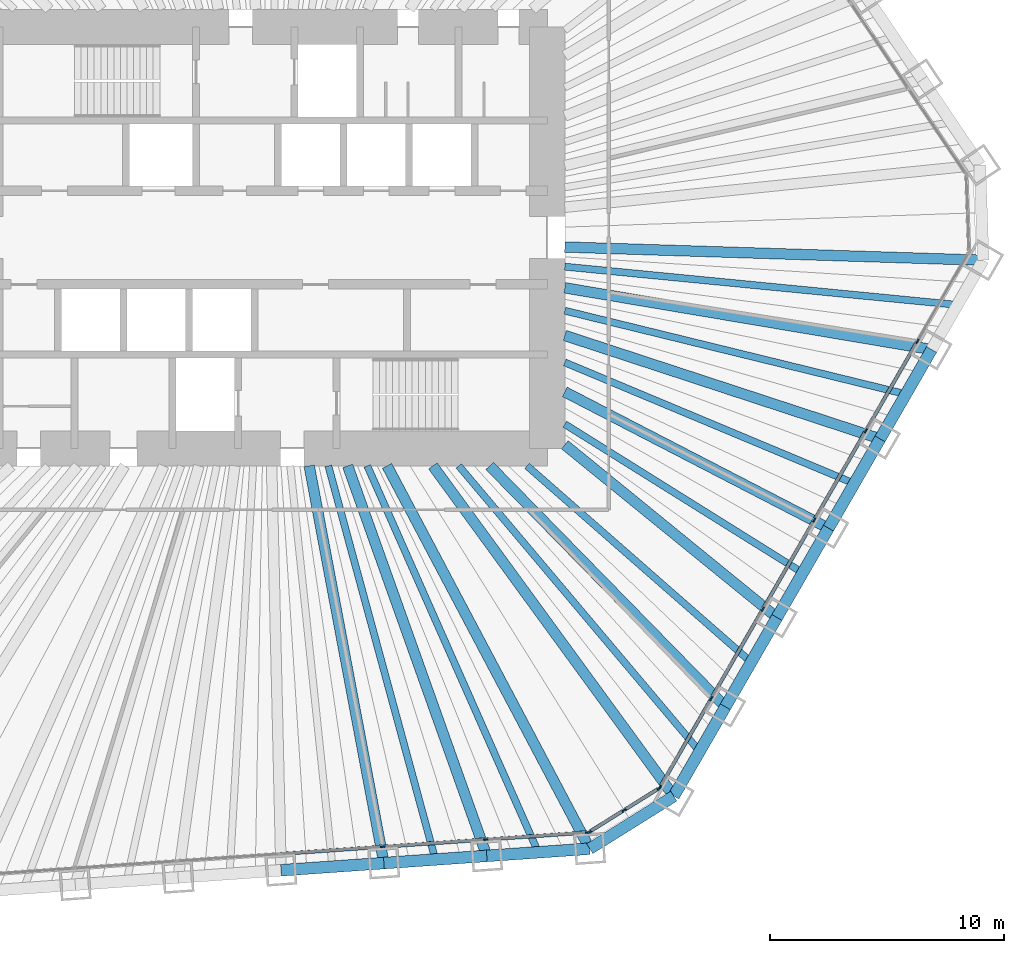
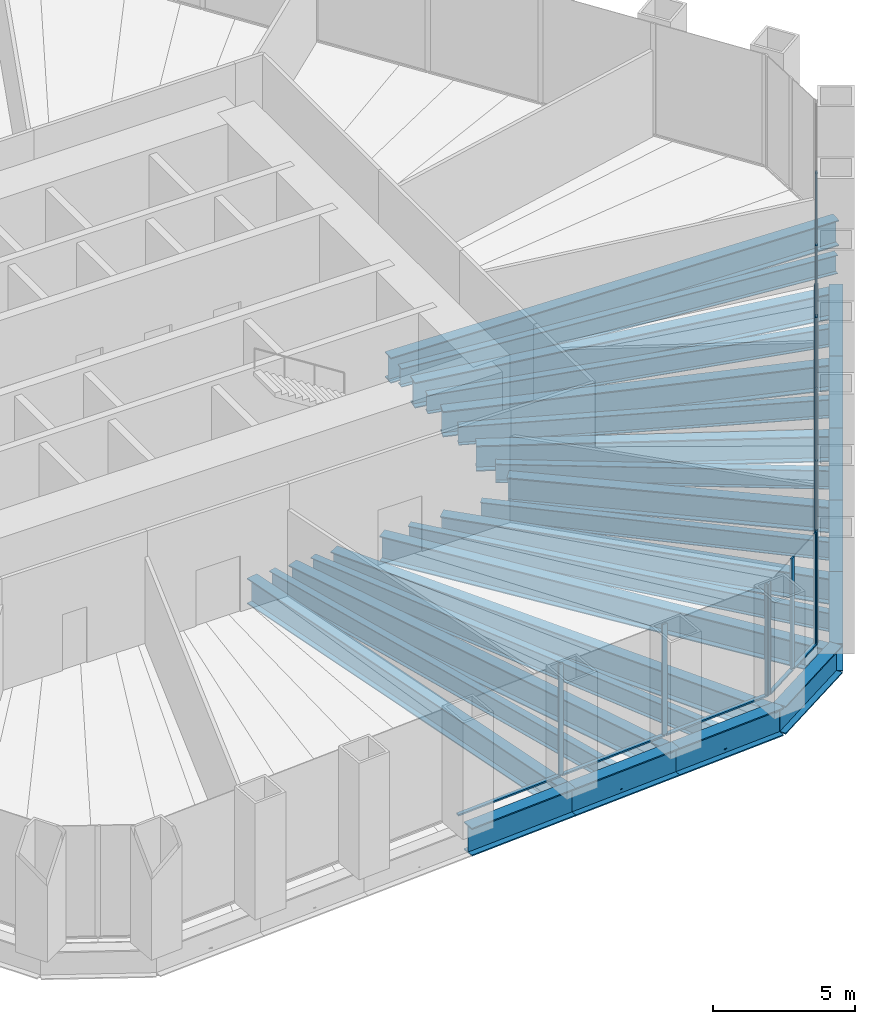
# One storey, part 4 of 13: 27 beams, 22 members, 3 elements without a shape of their own.
"""IFC4 building model written with IfcOpenShell, lengths in metres."""

from ifc_helpers import new_model, si_unit, direction, frame, origin, origin_2d, place, context, subcontext, project, spatial, rectangle, i_section, extrude, material, material_profile, profile_set, type_object, element, aggregate, save


model = new_model("IFC4")

# Units and contexts
model_context = context("Model", 3, precision=1e-05, world=origin(), true_north=direction((0.0, 1.0)))
body_context = subcontext(model_context, "Body", "Model", "MODEL_VIEW")
ifc_project = project(units=[si_unit("LENGTHUNIT", "METRE"), si_unit("AREAUNIT", "SQUARE_METRE"), si_unit("VOLUMEUNIT", "CUBIC_METRE"), si_unit("PLANEANGLEUNIT", "RADIAN"), si_unit("MASSUNIT", "GRAM", prefix="KILO")], contexts=[model_context])

# Site, building, storey
site_placement = place(None, origin())
site = spatial("IfcSite", under=ifc_project, at=site_placement, CompositionType="ELEMENT")
building_placement = place(site_placement, origin())
building = spatial("IfcBuilding", under=site, at=building_placement, Name="Qingtian Harvest Tower", CompositionType="ELEMENT")
storey_placement = place(building_placement, frame((0.0, 0.0, 72.0)))
storey = spatial("IfcBuildingStorey", under=building, at=storey_placement, Name="L14", CompositionType="ELEMENT", Elevation=72.0)

# Beams
ifc_material_1 = material(Name="Steel SM570MC", Category="steel")
ifc_material_profile_1 = material_profile(ifc_material_1, i_section(OverallWidth=0.449951171875, OverallDepth=1.10009765625, WebThickness=0.02197265625, FlangeThickness=0.044921875, at=origin_2d()), Name="H1100x450x22x45")
ifc_profile_set_1 = profile_set([ifc_material_profile_1], Name="Steel SM570MC")
beam_type_1 = type_object("IfcBeamType", Name="Corner floor beam FB8 H1100x450x22x45", PredefinedType="BEAM", material=ifc_profile_set_1)
beam_1_placement = place(storey_placement, frame((30.618408203125, -0.96728515625, -0.75), z_axis=(-0.999501426546, 0.031573696842, 0.0), x_axis=(-0.031573696842, -0.999501426546, 0.0)))
element("IfcBeam", 1, at=beam_1_placement, inside=storey, type_object=beam_type_1, Name="Floor beam FB8 SE0", PredefinedType="BEAM", context=body_context, shape_type="SweptSolid", body=[
    extrude(i_section(OverallWidth=0.449951171875, OverallDepth=1.10009765625, WebThickness=0.02197265625, FlangeThickness=0.044921875, at=origin_2d()), origin(), (0.0, 0.0, 1.0), 17.87744140625),
])
beam_2_placement = place(storey_placement, frame((17.404541015625, -23.854248046875, -0.75), z_axis=(-0.58941234871, 0.807832336062, 0.0), x_axis=(-0.807832336062, -0.58941234871, 0.0)))
element("IfcBeam", 2, at=beam_2_placement, inside=storey, type_object=beam_type_1, Name="Floor beam FB8 SE6", PredefinedType="BEAM", context=body_context, shape_type="SweptSolid", body=[
    extrude(i_section(OverallWidth=0.449951171875, OverallDepth=1.10009765625, WebThickness=0.02197265625, FlangeThickness=0.044921875, at=origin_2d()), origin(), (0.0, 0.0, 1.0), 17.45947265625),
])
beam_3_placement = place(storey_placement, frame((13.810546875, -26.10009765625, -0.75), z_axis=(-0.467705182679, 0.883884529843, 0.0), x_axis=(-0.883884529843, -0.467705182679, 0.0)))
element("IfcBeam", 3, at=beam_3_placement, inside=storey, type_object=beam_type_1, Name="Floor beam FB8 S0", PredefinedType="BEAM", context=body_context, shape_type="SweptSolid", body=[
    extrude(i_section(OverallWidth=0.449951171875, OverallDepth=1.10009765625, WebThickness=0.02197265625, FlangeThickness=0.044921875, at=origin_2d()), origin(), (0.0, 0.0, 1.0), 18.498046875),
])
ifc_material_2 = material(Name="Steel SM570MC", Category="steel")
ifc_material_profile_2 = material_profile(ifc_material_2, i_section(OverallWidth=0.449951171875, OverallDepth=1.10009765625, WebThickness=0.02197265625, FlangeThickness=0.044921875, at=origin_2d()), Name="H1100x450x22x45")
ifc_profile_set_2 = profile_set([ifc_material_profile_2], Name="Steel SM570MC")
beam_type_2 = type_object("IfcBeamType", Name="Floor beam FB1 H1100x450x22x45", PredefinedType="BEAM", material=ifc_profile_set_2)
beam_4_placement = place(storey_placement, frame((28.416015625, -4.78173828125, -0.75), z_axis=(-0.986135195489, 0.16594389479, 0.0), x_axis=(-0.16594389479, -0.986135195489, 0.0)))
element("IfcBeam", 4, at=beam_4_placement, inside=storey, type_object=beam_type_2, Name="Floor beam FB1 SE1", PredefinedType="BEAM", context=body_context, shape_type="SweptSolid", body=[
    extrude(i_section(OverallWidth=0.449951171875, OverallDepth=1.10009765625, WebThickness=0.02197265625, FlangeThickness=0.044921875, at=origin_2d()), origin(), (0.0, 0.0, 1.0), 15.88623046875),
])
beam_5_placement = place(storey_placement, frame((26.2138671875, -8.596435546875, -0.75), z_axis=(-0.950210724421, 0.311608053803, 0.0), x_axis=(-0.311608053803, -0.950210724421, 0.0)))
element("IfcBeam", 5, at=beam_5_placement, inside=storey, type_object=beam_type_2, Name="Floor beam FB1 SE2", PredefinedType="BEAM", context=body_context, shape_type="SweptSolid", body=[
    extrude(i_section(OverallWidth=0.449951171875, OverallDepth=1.10009765625, WebThickness=0.02197265625, FlangeThickness=0.044921875, at=origin_2d()), origin(), (0.0, 0.0, 1.0), 14.16943359375),
])
beam_6_placement = place(storey_placement, frame((24.011474609375, -12.410888671875, -0.75), z_axis=(-0.888349581519, 0.45916774823, 0.0), x_axis=(-0.45916774823, -0.888349581519, 0.0)))
element("IfcBeam", 6, at=beam_6_placement, inside=storey, type_object=beam_type_2, Name="Floor beam FB1 SE3", PredefinedType="BEAM", context=body_context, shape_type="SweptSolid", body=[
    extrude(i_section(OverallWidth=0.449951171875, OverallDepth=1.10009765625, WebThickness=0.02197265625, FlangeThickness=0.044921875, at=origin_2d()), origin(), (0.0, 0.0, 1.0), 12.6767578125),
])
beam_7_placement = place(storey_placement, frame((21.809326171875, -16.225341796875, -0.75), z_axis=(-0.775504415669, 0.631342142802, 0.0), x_axis=(-0.631342142802, -0.775504415669, 0.0)))
element("IfcBeam", 7, at=beam_7_placement, inside=storey, type_object=beam_type_2, Name="Floor beam FB1 SE4", PredefinedType="BEAM", context=body_context, shape_type="SweptSolid", body=[
    extrude(i_section(OverallWidth=0.449951171875, OverallDepth=1.10009765625, WebThickness=0.02197265625, FlangeThickness=0.044921875, at=origin_2d()), origin(), (0.0, 0.0, 1.0), 11.681884765625),
])
beam_8_placement = place(storey_placement, frame((19.60693359375, -20.039794921875, -0.75), z_axis=(-0.699348221539, 0.714781130858, 0.0), x_axis=(-0.714781130858, -0.699348221539, 0.0)))
element("IfcBeam", 8, at=beam_8_placement, inside=storey, type_object=beam_type_2, Name="Floor beam FB1 SE5", PredefinedType="BEAM", context=body_context, shape_type="SweptSolid", body=[
    extrude(i_section(OverallWidth=0.449951171875, OverallDepth=1.10009765625, WebThickness=0.02197265625, FlangeThickness=0.044921875, at=origin_2d()), origin(), (0.0, 0.0, 1.0), 14.395751953125),
])
beam_9_placement = place(storey_placement, frame((9.41650390625, -26.407470703125, -0.75), z_axis=(-0.33586498155, 0.941910141239, 0.0), x_axis=(-0.941910141239, -0.33586498155, 0.0)))
element("IfcBeam", 9, at=beam_9_placement, inside=storey, type_object=beam_type_2, Name="Floor beam FB1 S1", PredefinedType="BEAM", context=body_context, shape_type="SweptSolid", body=[
    extrude(i_section(OverallWidth=0.449951171875, OverallDepth=1.10009765625, WebThickness=0.02197265625, FlangeThickness=0.044921875, at=origin_2d()), origin(), (0.0, 0.0, 1.0), 17.684814453125),
])
beam_10_placement = place(storey_placement, frame((5.022705078125, -26.714599609375, -0.75), z_axis=(-0.184782942099, 0.98277935688, 0.0), x_axis=(-0.98277935688, -0.184782942099, 0.0)))
element("IfcBeam", 10, at=beam_10_placement, inside=storey, type_object=beam_type_2, Name="Floor beam FB1 S2", PredefinedType="BEAM", context=body_context, shape_type="SweptSolid", body=[
    extrude(i_section(OverallWidth=0.449951171875, OverallDepth=1.10009765625, WebThickness=0.02197265625, FlangeThickness=0.044921875, at=origin_2d()), origin(), (0.0, 0.0, 1.0), 17.261962890625),
])
ifc_material_3 = material(Name="Steel SN490B", Category="steel")
ifc_material_profile_3 = material_profile(ifc_material_3, i_section(OverallWidth=0.300048828125, OverallDepth=0.800048828125, WebThickness=0.013916015625, FlangeThickness=0.02587890625, at=origin_2d()), Name="H800x300x14x26")
ifc_profile_set_3 = profile_set([ifc_material_profile_3], Name="Steel SN490B")
beam_type_3 = type_object("IfcBeamType", Name="Floor joist J1 H800x300x14x26", PredefinedType="JOIST", material=ifc_profile_set_3)
beam_11_placement = place(storey_placement, frame((29.517333984375, -2.87451171875, -0.60009765625), z_axis=(-0.995291970786, 0.096922097011, 0.0), x_axis=(-0.096922097011, -0.995291970786, 0.0)))
element("IfcBeam", 11, at=beam_11_placement, inside=storey, type_object=beam_type_3, Name="Floor joist J1 SE0", PredefinedType="JOIST", context=body_context, shape_type="SweptSolid", body=[
    extrude(i_section(OverallWidth=0.300048828125, OverallDepth=0.800048828125, WebThickness=0.013916015625, FlangeThickness=0.02587890625, at=origin_2d()), origin(), (0.0, 0.0, 1.0), 16.8466796875),
])
beam_12_placement = place(storey_placement, frame((27.31494140625, -6.68896484375, -0.60009765625), z_axis=(-0.971301533706, 0.237851488583, 0.0), x_axis=(-0.237851488583, -0.971301533706, 0.0)))
element("IfcBeam", 12, at=beam_12_placement, inside=storey, type_object=beam_type_3, Name="Floor joist J1 SE1", PredefinedType="JOIST", context=body_context, shape_type="SweptSolid", body=[
    extrude(i_section(OverallWidth=0.300048828125, OverallDepth=0.800048828125, WebThickness=0.013916015625, FlangeThickness=0.02587890625, at=origin_2d()), origin(), (0.0, 0.0, 1.0), 14.995361328125),
])
beam_13_placement = place(storey_placement, frame((25.112548828125, -10.503662109375, -0.60009765625), z_axis=(-0.922550516103, 0.385876334125, 0.0), x_axis=(-0.385876334125, -0.922550516103, 0.0)))
element("IfcBeam", 13, at=beam_13_placement, inside=storey, type_object=beam_type_3, Name="Floor joist J1 SE2", PredefinedType="JOIST", context=body_context, shape_type="SweptSolid", body=[
    extrude(i_section(OverallWidth=0.300048828125, OverallDepth=0.800048828125, WebThickness=0.013916015625, FlangeThickness=0.02587890625, at=origin_2d()), origin(), (0.0, 0.0, 1.0), 13.400390625),
])
beam_14_placement = place(storey_placement, frame((22.910400390625, -14.318115234375, -0.60009765625), z_axis=(-0.848013185461, 0.52997512893, 0.0), x_axis=(-0.52997512893, -0.848013185461, 0.0)))
element("IfcBeam", 14, at=beam_14_placement, inside=storey, type_object=beam_type_3, Name="Floor joist J1 SE3", PredefinedType="JOIST", context=body_context, shape_type="SweptSolid", body=[
    extrude(i_section(OverallWidth=0.300048828125, OverallDepth=0.800048828125, WebThickness=0.013916015625, FlangeThickness=0.02587890625, at=origin_2d()), origin(), (0.0, 0.0, 1.0), 11.9814453125),
])
beam_15_placement = place(storey_placement, frame((20.7080078125, -18.132568359375, -0.60009765625), z_axis=(-0.75234369212, 0.658770801514, 0.0), x_axis=(-0.658770801514, -0.75234369212, 0.0)))
element("IfcBeam", 15, at=beam_15_placement, inside=storey, type_object=beam_type_3, Name="Floor joist J1 SE4", PredefinedType="JOIST", context=body_context, shape_type="SweptSolid", body=[
    extrude(i_section(OverallWidth=0.300048828125, OverallDepth=0.800048828125, WebThickness=0.013916015625, FlangeThickness=0.02587890625, at=origin_2d()), origin(), (0.0, 0.0, 1.0), 12.724609375),
])
beam_16_placement = place(storey_placement, frame((18.505859375, -21.947021484375, -0.60009765625), z_axis=(-0.644630398038, 0.76449437534, 0.0), x_axis=(-0.76449437534, -0.644630398038, 0.0)))
element("IfcBeam", 16, at=beam_16_placement, inside=storey, type_object=beam_type_3, Name="Floor joist J1 SE5", PredefinedType="JOIST", context=body_context, shape_type="SweptSolid", body=[
    extrude(i_section(OverallWidth=0.300048828125, OverallDepth=0.800048828125, WebThickness=0.013916015625, FlangeThickness=0.02587890625, at=origin_2d()), origin(), (0.0, 0.0, 1.0), 15.954345703125),
])
beam_17_placement = place(storey_placement, frame((11.613525390625, -26.25390625, -0.60009765625), z_axis=(-0.404539958959, 0.914520323233, 0.0), x_axis=(-0.914520323233, -0.404539958959, 0.0)))
element("IfcBeam", 17, at=beam_17_placement, inside=storey, type_object=beam_type_3, Name="Floor joist J1 S0", PredefinedType="JOIST", context=body_context, shape_type="SweptSolid", body=[
    extrude(i_section(OverallWidth=0.300048828125, OverallDepth=0.800048828125, WebThickness=0.013916015625, FlangeThickness=0.02587890625, at=origin_2d()), origin(), (0.0, 0.0, 1.0), 18.046630859375),
])
beam_18_placement = place(storey_placement, frame((7.2197265625, -26.56103515625, -0.60009765625), z_axis=(-0.262302659247, 0.964985655309, 0.0), x_axis=(-0.964985655309, -0.262302659247, 0.0)))
element("IfcBeam", 18, at=beam_18_placement, inside=storey, type_object=beam_type_3, Name="Floor joist J1 S1", PredefinedType="JOIST", context=body_context, shape_type="SweptSolid", body=[
    extrude(i_section(OverallWidth=0.300048828125, OverallDepth=0.800048828125, WebThickness=0.013916015625, FlangeThickness=0.02587890625, at=origin_2d()), origin(), (0.0, 0.0, 1.0), 17.421142578125),
])

# Curtain wall, members
ifc_material_4 = material(Name="Bronze-anodised aluminium curtain wall", Category="aluminium")
curtain_wall_type = type_object("IfcCurtainWallType", Name="Curtain wall CW2 farm reception", PredefinedType="USERDEFINED", material=ifc_material_4)
curtain_wall_1_placement = place(storey_placement, origin())
curtain_wall_1 = element("IfcCurtainWall", 19, at=curtain_wall_1_placement, inside=storey, type_object=curtain_wall_type, Name="Curtain wall CW2 L14 SE0-5", ObjectType="RECESSED CURTAIN WALL", PredefinedType="USERDEFINED")
ifc_material_5 = material(Name="Bronze-anodised aluminium mullion", Category="aluminium")
ifc_material_profile_4 = material_profile(ifc_material_5, rectangle(XDim=0.06494140625, YDim=0.199951171875, at=origin_2d()), Name="AL 65x200")
ifc_profile_set_4 = profile_set([ifc_material_profile_4], Name="Bronze-anodised aluminium mullion")
member_type_1 = type_object("IfcMemberType", Name="Mullion CWM 65x200", PredefinedType="MULLION", material=ifc_profile_set_4)
member_1_placement = place(storey_placement, frame((27.809814453125, -4.431884765625, 0.0), z_axis=(0.0, 0.0, 1.0), x_axis=(0.866025403784, -0.5, 0.0)))
member_1 = element("IfcMember", 20, at=member_1_placement, type_object=member_type_1, Name="CW2 mullion 2", PredefinedType="MULLION", context=body_context, shape_type="SweptSolid", body=[
    extrude(rectangle(XDim=0.06494140625, YDim=0.199951171875, at=origin_2d()), origin(), (0.0, 0.0, 1.0), 4.800048828125),
])
member_2_placement = place(storey_placement, frame((25.607666015625, -8.246337890625, 0.0), z_axis=(0.0, 0.0, 1.0), x_axis=(0.866025403784, -0.5, 0.0)))
member_2 = element("IfcMember", 21, at=member_2_placement, type_object=member_type_1, Name="CW2 mullion 3", PredefinedType="MULLION", context=body_context, shape_type="SweptSolid", body=[
    extrude(rectangle(XDim=0.06494140625, YDim=0.199951171875, at=origin_2d()), origin(), (0.0, 0.0, 1.0), 4.800048828125),
])
member_3_placement = place(storey_placement, frame((23.4052734375, -12.060791015625, 0.0), z_axis=(0.0, 0.0, 1.0), x_axis=(0.866025403784, -0.5, 0.0)))
member_3 = element("IfcMember", 22, at=member_3_placement, type_object=member_type_1, Name="CW2 mullion 4", PredefinedType="MULLION", context=body_context, shape_type="SweptSolid", body=[
    extrude(rectangle(XDim=0.06494140625, YDim=0.199951171875, at=origin_2d()), origin(), (0.0, 0.0, 1.0), 4.800048828125),
])
member_4_placement = place(storey_placement, frame((21.202880859375, -15.875244140625, 0.0), z_axis=(0.0, 0.0, 1.0), x_axis=(0.866025403784, -0.5, 0.0)))
member_4 = element("IfcMember", 23, at=member_4_placement, type_object=member_type_1, Name="CW2 mullion 5", PredefinedType="MULLION", context=body_context, shape_type="SweptSolid", body=[
    extrude(rectangle(XDim=0.06494140625, YDim=0.199951171875, at=origin_2d()), origin(), (0.0, 0.0, 1.0), 4.800048828125),
])
member_5_placement = place(storey_placement, frame((19.000732421875, -19.68994140625, 0.0), z_axis=(0.0, 0.0, 1.0), x_axis=(0.866025403784, -0.5, 0.0)))
member_5 = element("IfcMember", 24, at=member_5_placement, type_object=member_type_1, Name="CW2 mullion 6", PredefinedType="MULLION", context=body_context, shape_type="SweptSolid", body=[
    extrude(rectangle(XDim=0.06494140625, YDim=0.199951171875, at=origin_2d()), origin(), (0.0, 0.0, 1.0), 4.800048828125),
])
member_6_placement = place(storey_placement, frame((16.814697265625, -23.47607421875, 0.0), z_axis=(0.0, 0.0, 1.0), x_axis=(0.866025403784, -0.5, 0.0)))
member_6 = element("IfcMember", 25, at=member_6_placement, type_object=member_type_1, Name="CW2 mullion 7", PredefinedType="MULLION", context=body_context, shape_type="SweptSolid", body=[
    extrude(rectangle(XDim=0.06494140625, YDim=0.199951171875, at=origin_2d()), origin(), (0.0, 0.0, 1.0), 4.800048828125),
])

curtain_wall_2_placement = place(storey_placement, origin())
curtain_wall_2 = element("IfcCurtainWall", 26, at=curtain_wall_2_placement, inside=storey, type_object=curtain_wall_type, Name="Curtain wall CW2 L14 SEC", ObjectType="RECESSED CURTAIN WALL", PredefinedType="USERDEFINED")
member_7_placement = place(storey_placement, frame((16.770751953125, -23.521484375, 0.0), z_axis=(0.0, 0.0, 1.0), x_axis=(0.529919264233, -0.848048096156, 0.0)))
member_7 = element("IfcMember", 27, at=member_7_placement, type_object=member_type_1, Name="CW2 mullion 1", PredefinedType="MULLION", context=body_context, shape_type="SweptSolid", body=[
    extrude(rectangle(XDim=0.06494140625, YDim=0.199951171875, at=origin_2d()), origin(), (0.0, 0.0, 1.0), 4.800048828125),
])
member_8_placement = place(storey_placement, frame((15.280029296875, -24.453125, 0.0), z_axis=(0.0, 0.0, 1.0), x_axis=(0.529919264233, -0.848048096156, 0.0)))
member_8 = element("IfcMember", 28, at=member_8_placement, type_object=member_type_1, Name="CW2 mullion 2", PredefinedType="MULLION", context=body_context, shape_type="SweptSolid", body=[
    extrude(rectangle(XDim=0.06494140625, YDim=0.199951171875, at=origin_2d()), origin(), (0.0, 0.0, 1.0), 4.800048828125),
])
member_9_placement = place(storey_placement, frame((13.789306640625, -25.384765625, 0.0), z_axis=(0.0, 0.0, 1.0), x_axis=(0.529919264233, -0.848048096156, 0.0)))
member_9 = element("IfcMember", 29, at=member_9_placement, type_object=member_type_1, Name="CW2 mullion 3", PredefinedType="MULLION", context=body_context, shape_type="SweptSolid", body=[
    extrude(rectangle(XDim=0.06494140625, YDim=0.199951171875, at=origin_2d()), origin(), (0.0, 0.0, 1.0), 4.800048828125),
])

curtain_wall_3_placement = place(storey_placement, origin())
curtain_wall_3 = element("IfcCurtainWall", 30, at=curtain_wall_3_placement, inside=storey, type_object=curtain_wall_type, Name="Curtain wall CW2 L14 S0-5", ObjectType="RECESSED CURTAIN WALL", PredefinedType="USERDEFINED")
member_10_placement = place(storey_placement, frame((13.729248046875, -25.404296875, 0.0), z_axis=(0.0, 0.0, 1.0), x_axis=(0.069756473744, -0.99756405026, 0.0)))
member_10 = element("IfcMember", 31, at=member_10_placement, type_object=member_type_1, Name="CW2 mullion 1", PredefinedType="MULLION", context=body_context, shape_type="SweptSolid", body=[
    extrude(rectangle(XDim=0.06494140625, YDim=0.199951171875, at=origin_2d()), origin(), (0.0, 0.0, 1.0), 4.800048828125),
])
member_11_placement = place(storey_placement, frame((9.36767578125, -25.709228515625, 0.0), z_axis=(0.0, 0.0, 1.0), x_axis=(0.069756473744, -0.99756405026, 0.0)))
member_11 = element("IfcMember", 32, at=member_11_placement, type_object=member_type_1, Name="CW2 mullion 2", PredefinedType="MULLION", context=body_context, shape_type="SweptSolid", body=[
    extrude(rectangle(XDim=0.06494140625, YDim=0.199951171875, at=origin_2d()), origin(), (0.0, 0.0, 1.0), 4.800048828125),
])
member_12_placement = place(storey_placement, frame((4.973876953125, -26.016357421875, 0.0), z_axis=(0.0, 0.0, 1.0), x_axis=(0.069756473744, -0.99756405026, 0.0)))
member_12 = element("IfcMember", 33, at=member_12_placement, type_object=member_type_1, Name="CW2 mullion 3", PredefinedType="MULLION", context=body_context, shape_type="SweptSolid", body=[
    extrude(rectangle(XDim=0.06494140625, YDim=0.199951171875, at=origin_2d()), origin(), (0.0, 0.0, 1.0), 4.800048828125),
])

# Beams
ifc_material_6 = material(Name="Steel SM570MC", Category="steel")
ifc_material_profile_5 = material_profile(ifc_material_6, i_section(OverallWidth=0.5, OverallDepth=1.199951171875, WebThickness=0.02490234375, FlangeThickness=0.050048828125, at=origin_2d()), Name="H1200x500x25x50")
ifc_profile_set_5 = profile_set([ifc_material_profile_5], Name="Steel SM570MC")
beam_type_4 = type_object("IfcBeamType", Name="Spandrel beam SB1 H1200x500x25x50", PredefinedType="SPANDREL", material=ifc_profile_set_5)
beam_19_placement = place(storey_placement, frame((28.416015625, -4.78173828125, -0.60009765625), z_axis=(-0.499954356739, -0.86605175433, 0.0), x_axis=(0.86605175433, -0.499954356739, 0.0)))
element("IfcBeam", 34, at=beam_19_placement, inside=storey, type_object=beam_type_4, Name="Spandrel SB1 SE1", PredefinedType="SPANDREL", context=body_context, shape_type="SweptSolid", body=[
    extrude(i_section(OverallWidth=0.5, OverallDepth=1.199951171875, WebThickness=0.02490234375, FlangeThickness=0.050048828125, at=origin_2d()), origin(), (0.0, 0.0, 1.0), 4.40478515625),
])
for number, where, z_axis, x_axis, name in (
    (35, (26.2138671875, -8.596435546875, -0.60009765625), (-0.50001992892, -0.866013897511, 0.0), (0.866013897511, -0.50001992892, 0.0), "Spandrel SB1 SE2"),
    (36, (24.011474609375, -12.410888671875, -0.60009765625), (-0.499978356969, -0.866037899034, 0.0), (0.866037899034, -0.499978356969, 0.0), "Spandrel SB1 SE3"),
    (37, (21.809326171875, -16.225341796875, -0.60009765625), (-0.50001992892, -0.866013897511, 0.0), (0.866013897511, -0.50001992892, 0.0), "Spandrel SB1 SE4"),
    (38, (19.60693359375, -20.039794921875, -0.60009765625), (-0.50001992892, -0.866013897511, 0.0), (0.866013897511, -0.50001992892, 0.0), "Spandrel SB1 SE5"),
):
    element("IfcBeam", number, at=place(storey_placement, frame(where, z_axis=z_axis, x_axis=x_axis)), inside=storey, type_object=beam_type_4, Name=name, PredefinedType="SPANDREL", context=body_context, shape_type="SweptSolid", body=[
        extrude(i_section(OverallWidth=0.5, OverallDepth=1.199951171875, WebThickness=0.02490234375, FlangeThickness=0.050048828125, at=origin_2d()), origin(), (0.0, 0.0, 1.0), 4.404541015625),
    ])
beam_20_placement = place(storey_placement, frame((17.404541015625, -23.854248046875, -0.60009765625), z_axis=(-0.848040374245, -0.529931621675, 0.0), x_axis=(0.529931621675, -0.848040374245, 0.0)))
element("IfcBeam", 39, at=beam_20_placement, inside=storey, type_object=beam_type_4, Name="Spandrel SB1 SEC", PredefinedType="SPANDREL", context=body_context, shape_type="SweptSolid", body=[
    extrude(i_section(OverallWidth=0.5, OverallDepth=1.199951171875, WebThickness=0.02490234375, FlangeThickness=0.050048828125, at=origin_2d()), origin(), (0.0, 0.0, 1.0), 4.238037109375),
])
beam_21_placement = place(storey_placement, frame((13.810546875, -26.10009765625, -0.60009765625), z_axis=(-0.997562286406, -0.069781693443, 0.0), x_axis=(0.069781693443, -0.997562286406, 0.0)))
element("IfcBeam", 40, at=beam_21_placement, inside=storey, type_object=beam_type_4, Name="Spandrel SB1 S0", PredefinedType="SPANDREL", context=body_context, shape_type="SweptSolid", body=[
    extrude(i_section(OverallWidth=0.5, OverallDepth=1.199951171875, WebThickness=0.02490234375, FlangeThickness=0.050048828125, at=origin_2d()), origin(), (0.0, 0.0, 1.0), 4.40478515625),
])
for number, where, z_axis, x_axis, name in (
    (41, (9.41650390625, -26.407470703125, -0.60009765625), (-0.997565873714, -0.069730392239, 0.0), (0.069730392239, -0.997565873714, 0.0), "Spandrel SB1 S1"),
    (42, (5.022705078125, -26.714599609375, -0.60009765625), (-0.997562016486, -0.069785551967, 0.0), (0.069785551967, -0.997562016486, 0.0), "Spandrel SB1 S2"),
):
    element("IfcBeam", number, at=place(storey_placement, frame(where, z_axis=z_axis, x_axis=x_axis)), inside=storey, type_object=beam_type_4, Name=name, PredefinedType="SPANDREL", context=body_context, shape_type="SweptSolid", body=[
        extrude(i_section(OverallWidth=0.5, OverallDepth=1.199951171875, WebThickness=0.02490234375, FlangeThickness=0.050048828125, at=origin_2d()), origin(), (0.0, 0.0, 1.0), 4.404541015625),
    ])

# Member
ifc_material_7 = material(Name="Bronze-anodised aluminium transom", Category="aluminium")
ifc_material_profile_6 = material_profile(ifc_material_7, rectangle(XDim=0.14990234375, YDim=0.06494140625, at=origin_2d()), Name="AL 65x150")
ifc_profile_set_6 = profile_set([ifc_material_profile_6], Name="Bronze-anodised aluminium transom")
member_type_2 = type_object("IfcMemberType", Name="Transom CWT 65x150", PredefinedType="USERDEFINED", material=ifc_profile_set_6)
member_13_placement = place(storey_placement, frame((27.793701171875, -4.4599609375, 0.032470703125), z_axis=(-0.500011390128, -0.866018827591, 0.0), x_axis=(0.866018827591, -0.500011390128, 0.0)))
member_13 = element("IfcMember", 43, at=member_13_placement, type_object=member_type_2, Name="CW2 transom 2.1", ObjectType="TRANSOM", PredefinedType="USERDEFINED", context=body_context, shape_type="SweptSolid", body=[
    extrude(rectangle(XDim=0.14990234375, YDim=0.06494140625, at=origin_2d()), origin(), (0.0, 0.0, 1.0), 4.33984375),
])

member_14_placement = place(storey_placement, frame((25.59130859375, -8.2744140625, 0.032470703125), z_axis=(-0.499969196308, -0.866043187574, 0.0), x_axis=(0.866043187574, -0.499969196308, 0.0)))
member_14 = element("IfcMember", 44, at=member_14_placement, type_object=member_type_2, Name="CW2 transom 3.1", ObjectType="TRANSOM", PredefinedType="USERDEFINED", context=body_context, shape_type="SweptSolid", body=[
    extrude(rectangle(XDim=0.14990234375, YDim=0.06494140625, at=origin_2d()), origin(), (0.0, 0.0, 1.0), 4.339599609375),
])

member_15_placement = place(storey_placement, frame((23.38916015625, -12.0888671875, 0.032470703125), z_axis=(-0.500011390128, -0.866018827591, 0.0), x_axis=(0.866018827591, -0.500011390128, 0.0)))
member_15 = element("IfcMember", 45, at=member_15_placement, type_object=member_type_2, Name="CW2 transom 4.1", ObjectType="TRANSOM", PredefinedType="USERDEFINED", context=body_context, shape_type="SweptSolid", body=[
    extrude(rectangle(XDim=0.14990234375, YDim=0.06494140625, at=origin_2d()), origin(), (0.0, 0.0, 1.0), 4.33984375),
])

member_16_placement = place(storey_placement, frame((21.186767578125, -15.903564453125, 0.032470703125), z_axis=(-0.500035751442, -0.866004761696, 0.0), x_axis=(0.866004761696, -0.500035751442, 0.0)))
member_16 = element("IfcMember", 46, at=member_16_placement, type_object=member_type_2, Name="CW2 transom 5.1", ObjectType="TRANSOM", PredefinedType="USERDEFINED", context=body_context, shape_type="SweptSolid", body=[
    extrude(rectangle(XDim=0.14990234375, YDim=0.06494140625, at=origin_2d()), origin(), (0.0, 0.0, 1.0), 4.339599609375),
])

member_17_placement = place(storey_placement, frame((18.984375, -19.718017578125, 0.032470703125), z_axis=(-0.500010313095, -0.866019449435, 0.0), x_axis=(0.866019449435, -0.500010313095, 0.0)))
member_17 = element("IfcMember", 47, at=member_17_placement, type_object=member_type_2, Name="CW2 transom 6.1", ObjectType="TRANSOM", PredefinedType="USERDEFINED", context=body_context, shape_type="SweptSolid", body=[
    extrude(rectangle(XDim=0.14990234375, YDim=0.06494140625, at=origin_2d()), origin(), (0.0, 0.0, 1.0), 4.30712890625),
])

aggregate(curtain_wall_1, [member_1, member_2, member_3, member_4, member_5, member_6, member_13, member_14, member_15, member_16, member_17])

member_18_placement = place(storey_placement, frame((16.7431640625, -23.538818359375, 0.032470703125), z_axis=(-0.848063119425, -0.529895221219, 0.0), x_axis=(0.529895221219, -0.848063119425, 0.0)))
member_18 = element("IfcMember", 48, at=member_18_placement, type_object=member_type_2, Name="CW2 transom 1.1", ObjectType="TRANSOM", PredefinedType="USERDEFINED", context=body_context, shape_type="SweptSolid", body=[
    extrude(rectangle(XDim=0.14990234375, YDim=0.06494140625, at=origin_2d()), origin(), (0.0, 0.0, 1.0), 1.692626953125),
])

member_19_placement = place(storey_placement, frame((15.25244140625, -24.470458984375, 0.032470703125), z_axis=(-0.848103609743, -0.529830413568, 0.0), x_axis=(0.529830413568, -0.848103609743, 0.0)))
member_19 = element("IfcMember", 49, at=member_19_placement, type_object=member_type_2, Name="CW2 transom 2.1", ObjectType="TRANSOM", PredefinedType="USERDEFINED", context=body_context, shape_type="SweptSolid", body=[
    extrude(rectangle(XDim=0.14990234375, YDim=0.06494140625, at=origin_2d()), origin(), (0.0, 0.0, 1.0), 1.69287109375),
])

aggregate(curtain_wall_2, [member_7, member_8, member_9, member_18, member_19])

member_20_placement = place(storey_placement, frame((13.69677734375, -25.406494140625, 0.032470703125), z_axis=(-0.997566581753, -0.069720262262, 0.0), x_axis=(0.069720262262, -0.997566581753, 0.0)))
member_20 = element("IfcMember", 50, at=member_20_placement, type_object=member_type_2, Name="CW2 transom 1.1", ObjectType="TRANSOM", PredefinedType="USERDEFINED", context=body_context, shape_type="SweptSolid", body=[
    extrude(rectangle(XDim=0.14990234375, YDim=0.06494140625, at=origin_2d()), origin(), (0.0, 0.0, 1.0), 4.30712890625),
])

member_21_placement = place(storey_placement, frame((9.33544921875, -25.71142578125, 0.032470703125), z_axis=(-0.997563824095, -0.069759707979, 0.0), x_axis=(0.069759707979, -0.997563824095, 0.0)))
member_21 = element("IfcMember", 51, at=member_21_placement, type_object=member_type_2, Name="CW2 transom 2.1", ObjectType="TRANSOM", PredefinedType="USERDEFINED", context=body_context, shape_type="SweptSolid", body=[
    extrude(rectangle(XDim=0.14990234375, YDim=0.06494140625, at=origin_2d()), origin(), (0.0, 0.0, 1.0), 4.339599609375),
])

member_22_placement = place(storey_placement, frame((4.94140625, -26.018798828125, 0.032470703125), z_axis=(-0.997567737508, -0.069703723594, 0.0), x_axis=(0.069703723594, -0.997567737508, 0.0)))
member_22 = element("IfcMember", 52, at=member_22_placement, type_object=member_type_2, Name="CW2 transom 3.1", ObjectType="TRANSOM", PredefinedType="USERDEFINED", context=body_context, shape_type="SweptSolid", body=[
    extrude(rectangle(XDim=0.14990234375, YDim=0.06494140625, at=origin_2d()), origin(), (0.0, 0.0, 1.0), 4.339599609375),
])

aggregate(curtain_wall_3, [member_10, member_11, member_12, member_20, member_21, member_22])

save(model, "model.ifc")
